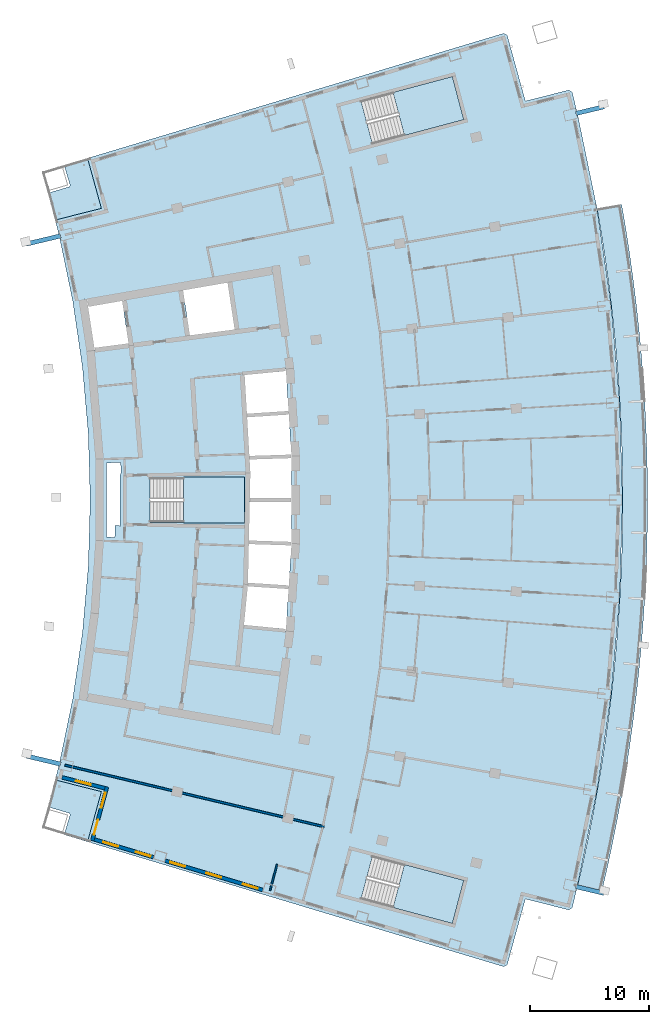
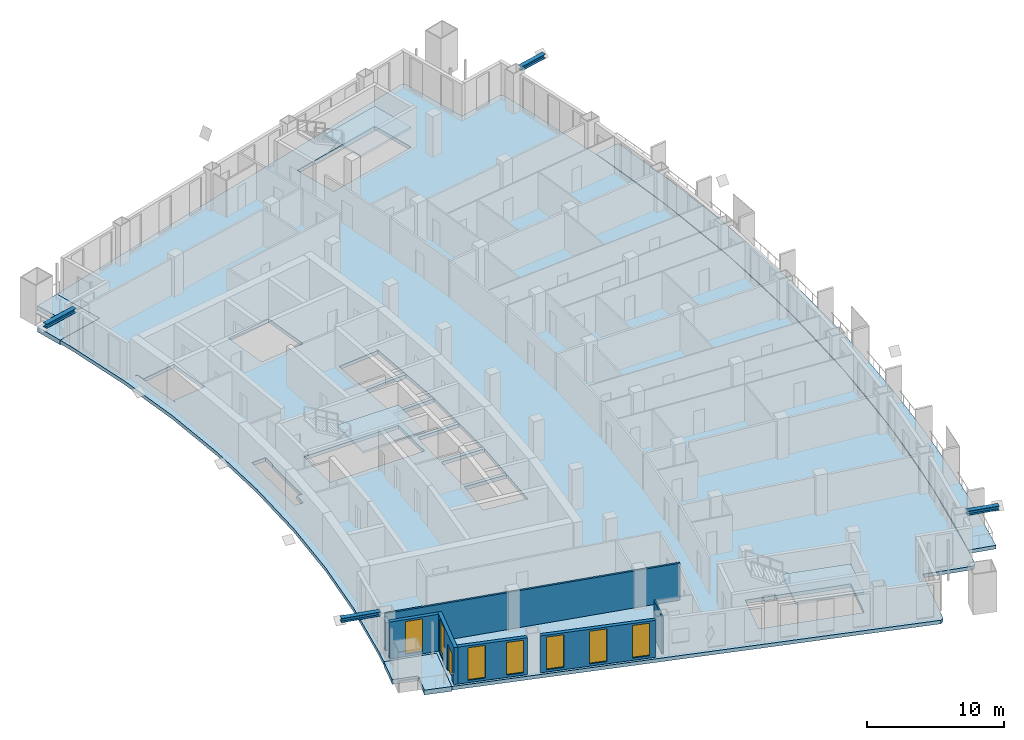
# One storey, part 10 of 21: 7 slabs, 7 windows, 6 walls, 4 members, 1 door, 8 openings, 3 elements without a shape of their own.
"""IFC4 building model written with IfcOpenShell, lengths in metres."""

from ifc_helpers import new_model, si_unit, direction, frame, frame_2d, origin, origin_2d, place, context, subcontext, project, spatial, polyline, rectangle, i_section, outline, extrude, material, layer, layer_set, material_profile, profile_set, type_object, element, fill, aggregate, save


model = new_model("IFC4")

# Units and contexts
model_context = context("Model", 3, precision=1e-05, world=origin(), true_north=direction((0.0, 1.0)))
body_context = subcontext(model_context, "Body", "Model", "MODEL_VIEW")
ifc_project = project(units=[si_unit("LENGTHUNIT", "METRE"), si_unit("AREAUNIT", "SQUARE_METRE"), si_unit("VOLUMEUNIT", "CUBIC_METRE"), si_unit("PLANEANGLEUNIT", "RADIAN"), si_unit("MASSUNIT", "GRAM", prefix="KILO")], contexts=[model_context])

# Site, building, storey
site_placement = place(None, origin())
site = spatial("IfcSite", under=ifc_project, at=site_placement, CompositionType="ELEMENT")
building_placement = place(site_placement, origin())
building = spatial("IfcBuilding", under=site, at=building_placement, Name="Alderwake Tower", CompositionType="ELEMENT")
storey_placement = place(building_placement, frame((0.0, 0.0, 146.0)))
storey = spatial("IfcBuildingStorey", under=building, at=storey_placement, Name="L35", CompositionType="ELEMENT", Elevation=146.0)

# Members
ifc_material_1 = material(Name="Steel ASTM A992 Grade 50", Category="steel")
ifc_material_profile = material_profile(ifc_material_1, i_section(OverallWidth=0.3740234375, OverallDepth=0.372314453125, WebThickness=0.016357421875, FlangeThickness=0.026123046875, at=origin_2d()), Name="W14X132")
ifc_profile_set = profile_set([ifc_material_profile], Name="Steel ASTM A992 Grade 50")
member_type = type_object("IfcMemberType", Name="Brace node stub W14X132", PredefinedType="MEMBER", material=ifc_profile_set)
member_1_placement = place(storey_placement, frame((56.88623046875, 28.463134765625, 3.393798828125), z_axis=(0.973301110801, -0.229532018927, 0.0), x_axis=(0.229532018927, 0.973301110801, 0.0)))
element("IfcMember", 1, at=member_1_placement, inside=storey, type_object=member_type, Name="Brace node stub BS.FR03-C5.1496", PredefinedType="MEMBER", context=body_context, shape_type="SweptSolid", body=[
    extrude(i_section(OverallWidth=0.3740234375, OverallDepth=0.372314453125, WebThickness=0.016357421875, FlangeThickness=0.026123046875, at=origin_2d()), origin(), (0.0, 0.0, 1.0), 2.40283203125),
])
member_2_placement = place(storey_placement, frame((56.88818359375, 93.529052734375, 3.393798828125), z_axis=(0.972526403068, 0.232792601549, 0.0), x_axis=(-0.232792601549, 0.972526403068, 0.0)))
element("IfcMember", 2, at=member_2_placement, inside=storey, type_object=member_type, Name="Brace node stub BS.FR11-C5.1496", PredefinedType="MEMBER", context=body_context, shape_type="SweptSolid", body=[
    extrude(i_section(OverallWidth=0.3740234375, OverallDepth=0.372314453125, WebThickness=0.016357421875, FlangeThickness=0.026123046875, at=origin_2d()), origin(), (0.0, 0.0, 1.0), 2.402587890625),
])
for number, where, z_axis, x_axis, name in (
    (3, (13.49560546875, 38.779541015625, 3.393798828125), (-0.972901754928, 0.231218890357, 0.0), (-0.231218890357, -0.972901754928, 0.0), "Brace node stub BS.RR03-C0.1496"),
    (4, (13.49560546875, 83.220458984375, 3.393798828125), (-0.972901754928, -0.231218890357, 0.0), (0.231218890357, -0.972901754928, 0.0), "Brace node stub BS.RR11-C0.1496"),
):
    element("IfcMember", number, at=place(storey_placement, frame(where, z_axis=z_axis, x_axis=x_axis)), inside=storey, type_object=member_type, Name=name, PredefinedType="MEMBER", context=body_context, shape_type="SweptSolid", body=[
        extrude(i_section(OverallWidth=0.3740234375, OverallDepth=0.372314453125, WebThickness=0.016357421875, FlangeThickness=0.026123046875, at=origin_2d()), origin(), (0.0, 0.0, 1.0), 2.95849609375),
    ])

# Slabs
ifc_material_2 = material(Name="Concrete C50/60", Category="concrete")
ifc_layer_1 = layer(ifc_material_2, 0.320068359375)
ifc_layer_set_1 = layer_set([ifc_layer_1], Name="Balcony slab 320")
slab_type_1 = type_object("IfcSlabType", Name="Balcony slab 320", PredefinedType="FLOOR", material=ifc_layer_set_1)
slab_1_placement = place(storey_placement, frame((0.0, 0.0, -0.320068359375)))
element("IfcSlab", 5, at=slab_1_placement, inside=storey, type_object=slab_type_1, Name="Balcony BF03", PredefinedType="FLOOR", context=body_context, shape_type="SweptSolid", body=[
    extrude(outline(polyline([(59.49462890625, 29.9892578125), (59.931884765625, 32.02685546875), (60.339599609375, 34.070556640625), (60.71728515625, 36.119873046875), (61.065185546875, 38.174560546875), (61.383056640625, 40.234130859375), (61.6708984375, 42.298095703125), (61.9287109375, 44.3662109375), (62.156005859375, 46.4375), (62.353271484375, 48.51220703125), (62.520263671875, 50.58935546875), (62.656982421875, 52.6689453125), (62.76318359375, 54.75), (62.839111328125, 56.832763671875), (62.884765625, 58.916015625), (62.89990234375, 61.0), (62.884765625, 63.083984375), (62.839111328125, 65.167236328125), (62.76318359375, 67.25), (62.656982421875, 69.3310546875), (62.520263671875, 71.41064453125), (62.353271484375, 73.48779296875), (62.156005859375, 75.5625), (61.9287109375, 77.6337890625), (61.6708984375, 79.701904296875), (61.383056640625, 81.765869140625), (61.065185546875, 83.825439453125), (60.71728515625, 85.880126953125), (58.6494140625, 85.514404296875), (58.9921875, 83.489990234375), (59.305419921875, 81.460693359375), (59.589111328125, 79.427001953125), (59.843017578125, 77.389404296875), (60.06689453125, 75.348388671875), (60.26123046875, 73.30419921875), (60.42578125, 71.257568359375), (60.560546875, 69.208740234375), (60.665283203125, 67.157958984375), (60.739990234375, 65.106201171875), (60.784912109375, 63.05322265625), (60.800048828125, 61.0), (60.784912109375, 58.94677734375), (60.739990234375, 56.893798828125), (60.665283203125, 54.842041015625), (60.560546875, 52.791259765625), (60.42578125, 50.742431640625), (60.26123046875, 48.69580078125), (60.06689453125, 46.651611328125), (59.843017578125, 44.610595703125), (59.589111328125, 42.572998046875), (59.305419921875, 40.539306640625), (58.9921875, 38.510009765625), (58.6494140625, 36.485595703125), (58.27734375, 34.46630859375), (57.87548828125, 32.45263671875), (57.444580078125, 30.445068359375), (56.984619140625, 28.444091796875), (59.027587890625, 27.95849609375), (59.49462890625, 29.9892578125)])), origin(), (0.0, 0.0, 1.0), 0.320068359375),
])
ifc_material_3 = material(Name="Concrete C50/60", Category="concrete")
ifc_layer_2 = layer(ifc_material_3, 0.320068359375)
ifc_layer_set_2 = layer_set([ifc_layer_2], Name="Concrete C50/60 post-tensioned flat plate 320")
slab_type_2 = type_object("IfcSlabType", Name="Concrete C50/60 post-tensioned flat plate 320", PredefinedType="FLOOR", material=ifc_layer_set_2)
slab_2_placement = place(storey_placement, frame((0.0, 0.0, -0.320068359375)))
element("IfcSlab", 6, at=slab_2_placement, inside=storey, type_object=slab_type_2, Name="Floor slab L35", PredefinedType="FLOOR", context=body_context, shape_type="SweptSolid", body=[
    extrude(outline(polyline([(13.06494140625, 37.443115234375), (13.3984375, 38.802734375), (14.53369140625, 44.28564453125), (15.347412109375, 49.825439453125), (15.836669921875, 55.4033203125), (16.0, 61.0), (15.836669921875, 66.5966796875), (15.347412109375, 72.174560546875), (14.53369140625, 77.71435546875), (13.3984375, 83.197265625), (13.06494140625, 84.556884765625), (16.942626953125, 85.53857421875), (15.776611328125, 89.7548828125), (50.802001953125, 100.2705078125), (51.083740234375, 100.114990234375), (52.617431640625, 94.568603515625), (56.272216796875, 95.493896484375), (56.5498046875, 95.326904296875), (56.984619140625, 93.555908203125), (58.6494140625, 85.514404296875), (59.843017578125, 77.389404296875), (60.560546875, 69.208740234375), (60.800048828125, 61.0), (60.560546875, 52.791259765625), (59.843017578125, 44.610595703125), (58.6494140625, 36.485595703125), (56.984619140625, 28.444091796875), (56.5498046875, 26.673095703125), (56.272216796875, 26.506103515625), (52.617431640625, 27.431396484375), (51.083740234375, 21.885009765625), (50.802001953125, 21.7294921875), (15.776611328125, 32.2451171875), (16.942626953125, 36.46142578125), (13.06494140625, 37.443115234375)]), holes=[polyline([(29.25732421875, 53.7685546875), (28.939697265625, 50.49072265625), (32.447509765625, 50.147705078125), (32.432861328125, 49.998291015625), (32.462646484375, 49.995361328125), (32.701416015625, 53.660888671875), (32.940185546875, 57.32666015625), (32.940185546875, 61.0), (32.940185546875, 64.67333984375), (32.701416015625, 68.339111328125), (32.462646484375, 72.004638671875), (32.432861328125, 72.001708984375), (32.447509765625, 71.852294921875), (28.886962890625, 71.50390625), (28.88720703125, 71.50048828125), (28.99462890625, 71.506591796875), (29.184814453125, 68.26025390625), (32.66162109375, 68.48681640625), (32.67138671875, 68.337158203125), (32.68115234375, 68.1875), (29.2021484375, 67.960693359375), (29.392578125, 64.7080078125), (32.9052734375, 64.822265625), (32.91015625, 64.67236328125), (32.9150390625, 64.5224609375), (29.41015625, 64.408447265625), (29.4765625, 63.27685546875), (29.429443359375, 61.14990234375), (32.91015625, 61.14990234375), (32.91015625, 61.0), (32.91015625, 60.85009765625), (29.4228515625, 60.85009765625), (29.350830078125, 57.593505859375), (32.9150390625, 57.4775390625), (32.91015625, 57.32763671875), (32.9052734375, 57.177734375), (29.34423828125, 57.29345703125), (29.2705078125, 53.9697265625), (29.274169921875, 53.969482421875), (29.2783203125, 54.0341796875), (32.68115234375, 53.8125), (32.67138671875, 53.662841796875), (32.66162109375, 53.51318359375), (29.2587890625, 53.73486328125), (29.260986328125, 53.768310546875), (29.25732421875, 53.7685546875)]), polyline([(21.050048828125, 62.875), (21.050048828125, 59.125), (29.0, 59.125), (29.0, 62.875), (21.050048828125, 62.875)]), polyline([(15.739013671875, 77.927490234375), (15.5361328125, 77.8916015625), (15.536865234375, 77.887939453125), (15.716796875, 77.91552734375), (16.379150390625, 73.605712890625), (16.4091796875, 73.609619140625), (16.38330078125, 73.80810546875), (19.224853515625, 74.1796875), (18.689697265625, 77.74365234375), (18.885986328125, 77.773193359375), (18.8837890625, 77.787109375), (15.854248046875, 77.261962890625), (15.739013671875, 77.927490234375)]), polyline([(27.555419921875, 79.29052734375), (23.811767578125, 78.6416015625), (24.384033203125, 74.8583984375), (24.373291015625, 74.856689453125), (24.373779296875, 74.85302734375), (28.152587890625, 75.347412109375), (27.555419921875, 79.29052734375)]), polyline([(47.436279296875, 28.996826171875), (39.754150390625, 31.043212890625), (38.7890625, 27.41943359375), (46.47119140625, 25.373291015625), (47.436279296875, 28.996826171875)]), polyline([(46.47119140625, 96.626708984375), (38.7890625, 94.58056640625), (39.754150390625, 90.956787109375), (47.436279296875, 93.003173828125), (46.47119140625, 96.626708984375)]), polyline([(17.389404296875, 64.1220703125), (17.389404296875, 57.8779296875), (18.06298828125, 57.85400390625), (18.090576171875, 58.84375), (18.544189453125, 58.831298828125), (18.529296875, 58.8681640625), (18.5234375, 58.891845703125), (18.5185546875, 58.940673828125), (18.5185546875, 63.060302734375), (18.5234375, 63.109130859375), (18.53759765625, 63.156005859375), (18.560791015625, 63.19921875), (18.588623046875, 63.2333984375), (18.562744140625, 64.16357421875), (17.389404296875, 64.1220703125)])]), origin(), (0.0, 0.0, 1.0), 0.320068359375),
])

# Stair, slab
ifc_material_4 = material(Name="Concrete C40/50", Category="concrete")
stair_type = type_object("IfcStairType", Name="Core exit stair", PredefinedType="HALF_TURN_STAIR", material=ifc_material_4)
stair_1_placement = place(storey_placement, origin())
stair_1 = element("IfcStair", 7, at=stair_1_placement, inside=storey, type_object=stair_type, Name="L35 Exit Stair B", PredefinedType="HALF_TURN_STAIR")
ifc_material_5 = material(Name="Concrete C40/50", Category="concrete")
ifc_layer_3 = layer(ifc_material_5, 0.199951171875)
ifc_layer_set_3 = layer_set([ifc_layer_3], Name="Core stair landing 200")
slab_type_3 = type_object("IfcSlabType", Name="Core stair landing 200", PredefinedType="LANDING", material=ifc_layer_set_3)
slab_3_placement = place(storey_placement, frame((0.0, 0.0, 1.60009765625)))
slab_3 = element("IfcSlab", 8, at=slab_3_placement, type_object=slab_type_3, Name="ST-B landing 1", PredefinedType="LANDING", context=body_context, shape_type="SweptSolid", body=[
    extrude(outline(polyline([(23.830078125, 59.074951171875), (29.0, 59.074951171875), (29.0, 62.925048828125), (23.830078125, 62.925048828125), (23.830078125, 59.074951171875)])), origin(), (0.0, 0.0, 1.0), 0.199951171875),
])
aggregate(stair_1, [slab_3])

stair_2_placement = place(storey_placement, origin())
stair_2 = element("IfcStair", 9, at=stair_2_placement, inside=storey, type_object=stair_type, Name="L35 Exit Stair A", PredefinedType="HALF_TURN_STAIR")
slab_4_placement = place(storey_placement, frame((0.0, 0.0, 1.60009765625)))
slab_4 = element("IfcSlab", 10, at=slab_4_placement, type_object=slab_type_3, Name="ST-A landing 1", PredefinedType="LANDING", context=body_context, shape_type="SweptSolid", body=[
    extrude(outline(polyline([(42.440673828125, 91.67236328125), (47.436279296875, 93.003173828125), (46.47119140625, 96.626708984375), (41.475341796875, 95.296142578125), (42.440673828125, 91.67236328125)])), origin(), (0.0, 0.0, 1.0), 0.199951171875),
])
aggregate(stair_2, [slab_4])

stair_3_placement = place(storey_placement, origin())
stair_3 = element("IfcStair", 11, at=stair_3_placement, inside=storey, type_object=stair_type, Name="L35 Exit Stair C", PredefinedType="HALF_TURN_STAIR")
slab_5_placement = place(storey_placement, frame((0.0, 0.0, 1.60009765625)))
slab_5 = element("IfcSlab", 12, at=slab_5_placement, type_object=slab_type_3, Name="ST-C landing 1", PredefinedType="LANDING", context=body_context, shape_type="SweptSolid", body=[
    extrude(outline(polyline([(41.475341796875, 26.703857421875), (46.47119140625, 25.373291015625), (47.436279296875, 28.996826171875), (42.4404296875, 30.32763671875), (41.475341796875, 26.703857421875)])), origin(), (0.0, 0.0, 1.0), 0.199951171875),
])
aggregate(stair_3, [slab_5])

# Slabs
ifc_material_6 = material(Name="Concrete C50/60", Category="concrete")
ifc_layer_4 = layer(ifc_material_6, 0.419921875)
ifc_layer_set_4 = layer_set([ifc_layer_4], Name="Terrace slab 420")
slab_type_4 = type_object("IfcSlabType", Name="Terrace slab 420", PredefinedType="FLOOR", material=ifc_layer_set_4)
slab_6_placement = place(storey_placement, frame((0.0, 0.0, -0.419921875)))
element("IfcSlab", 13, at=slab_6_placement, inside=storey, type_object=slab_type_4, Name="Corner terrace RS", PredefinedType="FLOOR", context=body_context, shape_type="SweptSolid", body=[
    extrude(outline(polyline([(15.776611328125, 32.2451171875), (13.768798828125, 32.847900390625), (13.77685546875, 32.851806640625), (13.789306640625, 32.859619140625), (13.801025390625, 32.868408203125), (13.81201171875, 32.878662109375), (13.82177734375, 32.8896484375), (13.830322265625, 32.901611328125), (13.837646484375, 32.914306640625), (13.84375, 32.927490234375), (13.8486328125, 32.94140625), (14.29443359375, 34.478271484375), (14.2978515625, 34.492431640625), (14.2998046875, 34.507080078125), (14.30029296875, 34.521728515625), (14.29931640625, 34.53662109375), (14.297119140625, 34.551025390625), (14.29345703125, 34.565185546875), (14.2880859375, 34.5791015625), (14.28173828125, 34.59228515625), (14.27392578125, 34.604736328125), (14.26513671875, 34.616455078125), (14.255126953125, 34.627197265625), (14.244140625, 34.63720703125), (14.232177734375, 34.645751953125), (14.219482421875, 34.653076171875), (14.2060546875, 34.6591796875), (14.192138671875, 34.6640625), (12.46337890625, 35.16552734375), (12.456787109375, 35.1669921875), (12.71142578125, 36.08837890625), (13.06494140625, 37.443115234375), (16.942626953125, 36.46142578125), (15.776611328125, 32.2451171875)])), origin(), (0.0, 0.0, 1.0), 0.419921875),
])
slab_7_placement = place(storey_placement, frame((0.0, 0.0, -0.419921875)))
element("IfcSlab", 14, at=slab_7_placement, inside=storey, type_object=slab_type_4, Name="Corner terrace RN", PredefinedType="FLOOR", context=body_context, shape_type="SweptSolid", body=[
    extrude(outline(polyline([(12.456787109375, 86.8330078125), (12.46337890625, 86.83447265625), (14.192138671875, 87.3359375), (14.2060546875, 87.3408203125), (14.219482421875, 87.346923828125), (14.232177734375, 87.354248046875), (14.244140625, 87.36279296875), (14.255126953125, 87.372802734375), (14.26513671875, 87.383544921875), (14.27392578125, 87.395263671875), (14.28173828125, 87.40771484375), (14.2880859375, 87.4208984375), (14.29345703125, 87.434814453125), (14.297119140625, 87.448974609375), (14.29931640625, 87.46337890625), (14.30029296875, 87.478271484375), (14.2998046875, 87.492919921875), (14.2978515625, 87.507568359375), (14.29443359375, 87.521728515625), (13.8486328125, 89.05859375), (13.84375, 89.072509765625), (13.837646484375, 89.085693359375), (13.830322265625, 89.098388671875), (13.82177734375, 89.1103515625), (13.81201171875, 89.121337890625), (13.801025390625, 89.131591796875), (13.789306640625, 89.140380859375), (13.77685546875, 89.148193359375), (13.768798828125, 89.152099609375), (15.776611328125, 89.7548828125), (16.942626953125, 85.53857421875), (13.06494140625, 84.556884765625), (12.71142578125, 85.91162109375), (12.456787109375, 86.8330078125)])), origin(), (0.0, 0.0, 1.0), 0.419921875),
])

# Wall
ifc_material_7 = material(Name="Gypsum board on metal studs, rated")
ifc_layer_5 = layer(ifc_material_7, 0.159912109375)
ifc_layer_set_5 = layer_set([ifc_layer_5], Name="Corridor wall 160")
wall_type_1 = type_object("IfcWallType", Name="Corridor wall 160", PredefinedType="PARTITIONING", material=ifc_layer_set_5)
wall_1_placement = place(storey_placement, frame((13.884033203125, 38.68798828125, 0.0), z_axis=(0.0, 0.0, 1.0), x_axis=(0.972893462073, -0.231253781493, 0.0)))
element("IfcWall", 15, at=wall_1_placement, inside=storey, type_object=wall_type_1, Name="WL/L35/W11", PredefinedType="PARTITIONING", context=body_context, shape_type="SweptSolid", body=[
    extrude(rectangle(XDim=22.38037109375, YDim=0.159912109375, at=frame_2d((11.190185546875, 0.0))), origin(), (0.0, 0.0, 1.0), 3.280029296875),
])

# Wall, opening, window
ifc_material_8 = material(Name="Bronze metal cladding on lightweight framing")
ifc_layer_6 = layer(ifc_material_8, 0.300048828125)
ifc_layer_set_6 = layer_set([ifc_layer_6], Name="External wall EW2 bronze metal cladding")
wall_type_2 = type_object("IfcWallType", Name="External wall EW2 bronze metal cladding", PredefinedType="SOLIDWALL", material=ifc_layer_set_6)
wall_2_placement = place(storey_placement, frame((13.633056640625, 37.660400390625, 0.0), z_axis=(0.0, 0.0, 1.0), x_axis=(0.969417366605, -0.245417948254, 0.0)))
wall_2 = element("IfcWall", 16, at=wall_2_placement, inside=storey, type_object=wall_type_2, Name="External wall 2", PredefinedType="SOLIDWALL", context=body_context, shape_type="SweptSolid", body=[
    extrude(rectangle(XDim=3.70556640625, YDim=0.300048828125, at=frame_2d((1.852783203125, 0.0))), origin(), (0.0, 0.0, 1.0), 3.280029296875),
])
opening_1_placement = place(wall_2_placement, frame((1.202880859375, 0.0, 0.199951171875)))
opening_1 = element("IfcOpeningElement", 17, at=opening_1_placement, cuts=wall_2, Name="Opening W1", PredefinedType="OPENING", context=body_context, shape_type="SweptSolid", body=[
    extrude(rectangle(XDim=1.300048828125, YDim=2.89990234375, at=frame_2d((0.64990234375, 1.449951171875))), frame((0.0, 0.159912109375, 0.0), z_axis=(0.0, -1.0, 0.0), x_axis=(1.0, 0.0, 0.0)), (0.0, 0.0, 1.0), 0.320068359375),
])
ifc_material_9 = material(Name="Bronze tinted glass in aluminium frame", Category="aluminium")
window_type = type_object("IfcWindowType", Name="Window W1 tall fixed and vent", PartitioningType="DOUBLE_PANEL_VERTICAL", PredefinedType="WINDOW", material=ifc_material_9)
window_1_placement = place(opening_1_placement, origin())
window_1 = element("IfcWindow", 18, at=window_1_placement, inside=storey, type_object=window_type, Name="Window W1 tall fixed and vent", OverallHeight=2.89990234375, OverallWidth=1.300048828125, PartitioningType="DOUBLE_PANEL_VERTICAL", PredefinedType="WINDOW", context=body_context, shape_type="SweptSolid", body=[
    extrude(rectangle(XDim=1.300048828125, YDim=2.89990234375, at=frame_2d((0.64990234375, 1.449951171875))), frame((0.0, 0.030029296875, 0.0), z_axis=(0.0, -1.0, 0.0), x_axis=(1.0, 0.0, 0.0)), (0.0, 0.0, 1.0), 0.06005859375),
])
fill(opening_1, window_1)

# Wall, openings, door, window
wall_3_placement = place(storey_placement, frame((17.410400390625, 36.85888671875, 0.0), z_axis=(0.0, 0.0, 1.0), x_axis=(-0.264592640785, -0.96436027212, 0.0)))
wall_3 = element("IfcWall", 19, at=wall_3_placement, inside=storey, type_object=wall_type_2, Name="External wall 3", PredefinedType="SOLIDWALL", context=body_context, shape_type="SweptSolid", body=[
    extrude(rectangle(XDim=4.690185546875, YDim=0.300048828125, at=frame_2d((2.34521484375, 0.0))), origin(), (0.0, 0.0, 1.0), 3.280029296875),
])
opening_2_placement = place(wall_3_placement, frame((0.5224609375, 0.0, 0.199951171875)))
opening_2 = element("IfcOpeningElement", 20, at=opening_2_placement, cuts=wall_3, Name="Opening W1", PredefinedType="OPENING", context=body_context, shape_type="SweptSolid", body=[
    extrude(rectangle(XDim=1.300048828125, YDim=2.89990234375, at=frame_2d((0.64990234375, 1.449951171875))), frame((0.0, 0.159912109375, 0.0), z_axis=(0.0, -1.0, 0.0), x_axis=(1.0, 0.0, 0.0)), (0.0, 0.0, 1.0), 0.320068359375),
])
opening_3_placement = place(wall_3_placement, frame((2.867431640625, 0.0, 0.0)))
opening_3 = element("IfcOpeningElement", 21, at=opening_3_placement, cuts=wall_3, Name="Opening D01", PredefinedType="OPENING", context=body_context, shape_type="SweptSolid", body=[
    extrude(rectangle(XDim=1.300048828125, YDim=2.39990234375, at=frame_2d((0.64990234375, 1.199951171875))), frame((0.0, 0.159912109375, 0.0), z_axis=(0.0, -1.0, 0.0), x_axis=(1.0, 0.0, 0.0)), (0.0, 0.0, 1.0), 0.320068359375),
])
ifc_material_10 = material(Name="Bronze tinted glass in aluminium frame", Category="aluminium")
door_type = type_object("IfcDoorType", Name="Balcony door BD sliding", OperationType="SLIDING_TO_LEFT", PredefinedType="DOOR", material=ifc_material_10)
door_placement = place(opening_3_placement, origin())
door = element("IfcDoor", 22, at=door_placement, inside=storey, type_object=door_type, Name="Door D01", OperationType="SLIDING_TO_LEFT", OverallHeight=2.39990234375, OverallWidth=1.300048828125, PredefinedType="DOOR", context=body_context, shape_type="SweptSolid", body=[
    extrude(rectangle(XDim=1.300048828125, YDim=2.39990234375, at=frame_2d((0.64990234375, 1.199951171875))), frame((0.0, 0.02490234375, 0.0), z_axis=(0.0, -1.0, 0.0), x_axis=(1.0, 0.0, 0.0)), (0.0, 0.0, 1.0), 0.050048828125),
])
fill(opening_3, door)
window_2_placement = place(opening_2_placement, origin())
window_2 = element("IfcWindow", 23, at=window_2_placement, inside=storey, type_object=window_type, Name="Window W1 tall fixed and vent", OverallHeight=2.89990234375, OverallWidth=1.300048828125, PartitioningType="DOUBLE_PANEL_VERTICAL", PredefinedType="WINDOW", context=body_context, shape_type="SweptSolid", body=[
    extrude(rectangle(XDim=1.300048828125, YDim=2.89990234375, at=frame_2d((0.64990234375, 1.449951171875))), frame((0.0, 0.030029296875, 0.0), z_axis=(0.0, -1.0, 0.0), x_axis=(1.0, 0.0, 0.0)), (0.0, 0.0, 1.0), 0.06005859375),
])
fill(opening_2, window_2)

# Wall, openings, windows
wall_4_placement = place(storey_placement, frame((16.352783203125, 32.4375, 0.0), z_axis=(0.0, 0.0, 1.0), x_axis=(0.95776681843, -0.287546033732, 0.0)))
wall_4 = element("IfcWall", 24, at=wall_4_placement, inside=storey, type_object=wall_type_2, Name="External wall 4", PredefinedType="SOLIDWALL", context=body_context, shape_type="SweptSolid", body=[
    extrude(rectangle(XDim=5.199462890625, YDim=0.300048828125, at=frame_2d((2.599609375, 0.0))), origin(), (0.0, 0.0, 1.0), 3.280029296875),
])
opening_4_placement = place(wall_4_placement, frame((0.775390625, 0.0, 0.199951171875)))
opening_4 = element("IfcOpeningElement", 25, at=opening_4_placement, cuts=wall_4, Name="Opening W1", PredefinedType="OPENING", context=body_context, shape_type="SweptSolid", body=[
    extrude(rectangle(XDim=1.300048828125, YDim=2.89990234375, at=frame_2d((0.64990234375, 1.449951171875))), frame((0.0, 0.159912109375, 0.0), z_axis=(0.0, -1.0, 0.0), x_axis=(1.0, 0.0, 0.0)), (0.0, 0.0, 1.0), 0.320068359375),
])
opening_5_placement = place(wall_4_placement, frame((3.626220703125, 0.0, 0.199951171875)))
opening_5 = element("IfcOpeningElement", 26, at=opening_5_placement, cuts=wall_4, Name="Opening W1", PredefinedType="OPENING", context=body_context, shape_type="SweptSolid", body=[
    extrude(rectangle(XDim=1.300048828125, YDim=2.89990234375, at=frame_2d((0.64990234375, 1.449951171875))), frame((0.0, 0.159912109375, 0.0), z_axis=(0.0, -1.0, 0.0), x_axis=(1.0, 0.0, 0.0)), (0.0, 0.0, 1.0), 0.320068359375),
])
window_3_placement = place(opening_4_placement, origin())
window_3 = element("IfcWindow", 27, at=window_3_placement, inside=storey, type_object=window_type, Name="Window W1 tall fixed and vent", OverallHeight=2.89990234375, OverallWidth=1.300048828125, PartitioningType="DOUBLE_PANEL_VERTICAL", PredefinedType="WINDOW", context=body_context, shape_type="SweptSolid", body=[
    extrude(rectangle(XDim=1.300048828125, YDim=2.89990234375, at=frame_2d((0.64990234375, 1.449951171875))), frame((0.0, 0.030029296875, 0.0), z_axis=(0.0, -1.0, 0.0), x_axis=(1.0, 0.0, 0.0)), (0.0, 0.0, 1.0), 0.06005859375),
])
fill(opening_4, window_3)
window_4_placement = place(opening_5_placement, origin())
window_4 = element("IfcWindow", 28, at=window_4_placement, inside=storey, type_object=window_type, Name="Window W1 tall fixed and vent", OverallHeight=2.89990234375, OverallWidth=1.300048828125, PartitioningType="DOUBLE_PANEL_VERTICAL", PredefinedType="WINDOW", context=body_context, shape_type="SweptSolid", body=[
    extrude(rectangle(XDim=1.300048828125, YDim=2.89990234375, at=frame_2d((0.64990234375, 1.449951171875))), frame((0.0, 0.030029296875, 0.0), z_axis=(0.0, -1.0, 0.0), x_axis=(1.0, 0.0, 0.0)), (0.0, 0.0, 1.0), 0.06005859375),
])
fill(opening_5, window_4)

wall_5_placement = place(storey_placement, frame((22.294677734375, 30.653564453125, 0.0), z_axis=(0.0, 0.0, 1.0), x_axis=(0.957768419769, -0.287540699891, 0.0)))
wall_5 = element("IfcWall", 29, at=wall_5_placement, inside=storey, type_object=wall_type_2, Name="External wall 5", PredefinedType="SOLIDWALL", context=body_context, shape_type="SweptSolid", body=[
    extrude(rectangle(XDim=8.595947265625, YDim=0.300048828125, at=frame_2d((4.2978515625, 0.0))), origin(), (0.0, 0.0, 1.0), 3.280029296875),
])
opening_6_placement = place(wall_5_placement, frame((0.44775390625, 0.0, 0.199951171875)))
opening_6 = element("IfcOpeningElement", 30, at=opening_6_placement, cuts=wall_5, Name="Opening W1", PredefinedType="OPENING", context=body_context, shape_type="SweptSolid", body=[
    extrude(rectangle(XDim=1.300048828125, YDim=2.89990234375, at=frame_2d((0.64990234375, 1.449951171875))), frame((0.0, 0.159912109375, 0.0), z_axis=(0.0, -1.0, 0.0), x_axis=(1.0, 0.0, 0.0)), (0.0, 0.0, 1.0), 0.320068359375),
])
opening_7_placement = place(wall_5_placement, frame((3.647705078125, 0.0, 0.199951171875)))
opening_7 = element("IfcOpeningElement", 31, at=opening_7_placement, cuts=wall_5, Name="Opening W1", PredefinedType="OPENING", context=body_context, shape_type="SweptSolid", body=[
    extrude(rectangle(XDim=1.300048828125, YDim=2.89990234375, at=frame_2d((0.64990234375, 1.449951171875))), frame((0.0, 0.159912109375, 0.0), z_axis=(0.0, -1.0, 0.0), x_axis=(1.0, 0.0, 0.0)), (0.0, 0.0, 1.0), 0.320068359375),
])
opening_8_placement = place(wall_5_placement, frame((6.847900390625, 0.0, 0.199951171875)))
opening_8 = element("IfcOpeningElement", 32, at=opening_8_placement, cuts=wall_5, Name="Opening W1", PredefinedType="OPENING", context=body_context, shape_type="SweptSolid", body=[
    extrude(rectangle(XDim=1.300048828125, YDim=2.89990234375, at=frame_2d((0.64990234375, 1.449951171875))), frame((0.0, 0.159912109375, 0.0), z_axis=(0.0, -1.0, 0.0), x_axis=(1.0, 0.0, 0.0)), (0.0, 0.0, 1.0), 0.320068359375),
])
window_5_placement = place(opening_6_placement, origin())
window_5 = element("IfcWindow", 33, at=window_5_placement, inside=storey, type_object=window_type, Name="Window W1 tall fixed and vent", OverallHeight=2.89990234375, OverallWidth=1.300048828125, PartitioningType="DOUBLE_PANEL_VERTICAL", PredefinedType="WINDOW", context=body_context, shape_type="SweptSolid", body=[
    extrude(rectangle(XDim=1.300048828125, YDim=2.89990234375, at=frame_2d((0.64990234375, 1.449951171875))), frame((0.0, 0.030029296875, 0.0), z_axis=(0.0, -1.0, 0.0), x_axis=(1.0, 0.0, 0.0)), (0.0, 0.0, 1.0), 0.06005859375),
])
fill(opening_6, window_5)
window_6_placement = place(opening_7_placement, origin())
window_6 = element("IfcWindow", 34, at=window_6_placement, inside=storey, type_object=window_type, Name="Window W1 tall fixed and vent", OverallHeight=2.89990234375, OverallWidth=1.300048828125, PartitioningType="DOUBLE_PANEL_VERTICAL", PredefinedType="WINDOW", context=body_context, shape_type="SweptSolid", body=[
    extrude(rectangle(XDim=1.300048828125, YDim=2.89990234375, at=frame_2d((0.64990234375, 1.449951171875))), frame((0.0, 0.030029296875, 0.0), z_axis=(0.0, -1.0, 0.0), x_axis=(1.0, 0.0, 0.0)), (0.0, 0.0, 1.0), 0.06005859375),
])
fill(opening_7, window_6)
window_7_placement = place(opening_8_placement, origin())
window_7 = element("IfcWindow", 35, at=window_7_placement, inside=storey, type_object=window_type, Name="Window W1 tall fixed and vent", OverallHeight=2.89990234375, OverallWidth=1.300048828125, PartitioningType="DOUBLE_PANEL_VERTICAL", PredefinedType="WINDOW", context=body_context, shape_type="SweptSolid", body=[
    extrude(rectangle(XDim=1.300048828125, YDim=2.89990234375, at=frame_2d((0.64990234375, 1.449951171875))), frame((0.0, 0.030029296875, 0.0), z_axis=(0.0, -1.0, 0.0), x_axis=(1.0, 0.0, 0.0)), (0.0, 0.0, 1.0), 0.06005859375),
])
fill(opening_8, window_7)

# Wall
ifc_material_11 = material(Name="Moisture resistant gypsum board on metal studs")
ifc_layer_7 = layer(ifc_material_11, 0.1201171875)
ifc_layer_set_7 = layer_set([ifc_layer_7], Name="Wet room partition 120")
wall_type_3 = type_object("IfcWallType", Name="Wet room partition 120", PredefinedType="PARTITIONING", material=ifc_layer_set_7)
wall_6_placement = place(storey_placement, frame((31.72265625, 30.343017578125, 0.0), z_axis=(0.0, 0.0, 1.0), x_axis=(-0.259787988076, -0.965665677785, 0.0)))
element("IfcWall", 36, at=wall_6_placement, inside=storey, type_object=wall_type_3, Name="WL/L35/W32", PredefinedType="PARTITIONING", context=body_context, shape_type="SweptSolid", body=[
    extrude(rectangle(XDim=2.265869140625, YDim=0.1201171875, at=frame_2d((1.1328125, 0.0))), origin(), (0.0, 0.0, 1.0), 3.280029296875),
])

save(model, "model.ifc")
